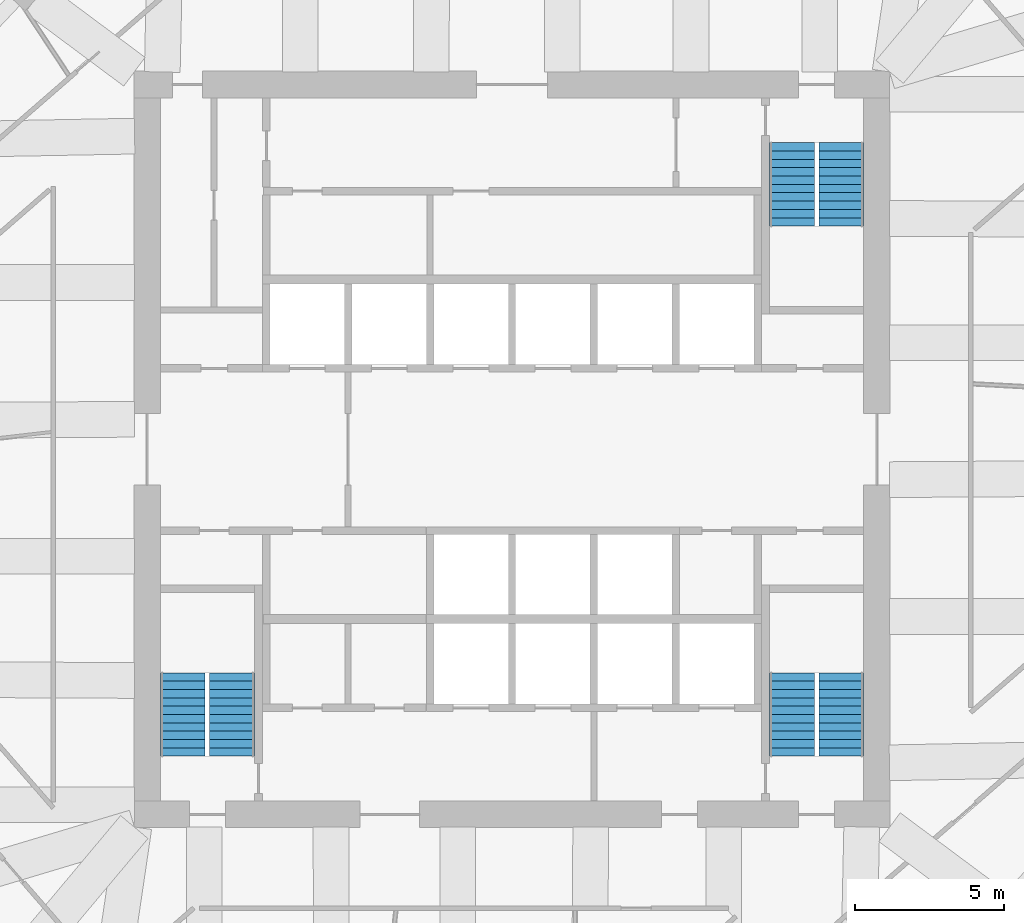
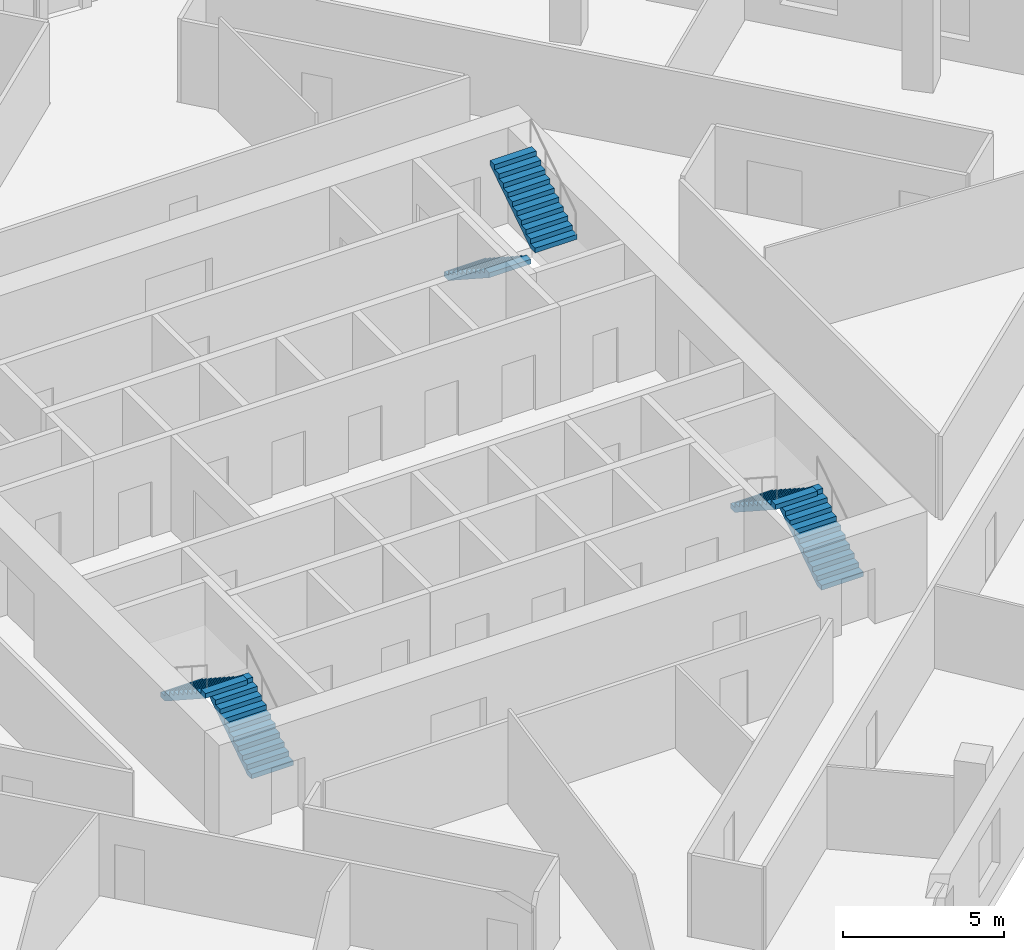
# One storey, part 9 of 11: 6 stair flights, 3 elements without a shape of their own.
"""IFC4 building model written with IfcOpenShell, lengths in metres."""

import ifcopenshell
import ifcopenshell.guid

model = None  # the IFC model being written
_history = None  # IfcOwnerHistory: only IFC2X3 demands one
_inside = {}  # id of a spatial element -> (the spatial element, [elements in it])
_under = {}  # id of a project, library or spatial element -> (it, [spatial elements below it])
_declared = {}  # id of a project -> (the project, [libraries it declares])
_typed = {}  # id of a type object -> (the type object, [elements of that type])
_made_of = {}  # id of a material, layer set ... -> (it, [elements and type objects made of it])


def new_model(schema):
    """Start an empty IFC model of exactly this schema.

    Asked for "IFC4X3", IfcOpenShell would pick the latest addendum, in which some entities
    have other attributes; the version numbers below select the first issue.
    IFC2X3 requires an IfcOwnerHistory on every rooted entity: one is made here for all.
    """
    global model, _history
    if schema == "IFC4X3":
        model = ifcopenshell.file(schema_version=(4, 3, 0, 0))
    else:
        model = ifcopenshell.file(schema=schema)
    _inside.clear()
    _under.clear()
    _declared.clear()
    _typed.clear()
    _made_of.clear()
    _history = None
    if model.schema == "IFC2X3":
        org = make("IfcOrganization", Name="unknown")
        user = make(
            "IfcPersonAndOrganization",
            ThePerson=make("IfcPerson", FamilyName="unknown"),
            TheOrganization=org,
        )
        app = make(
            "IfcApplication",
            ApplicationDeveloper=org,
            Version="unknown",
            ApplicationFullName="unknown",
            ApplicationIdentifier="unknown",
        )
        _history = make(
            "IfcOwnerHistory",
            OwningUser=user,
            OwningApplication=app,
            ChangeAction="ADDED",
            CreationDate=0,
        )
    return model


def make(cls, **values):
    """One entity of the class cls with the attributes given. An attribute that is None is left unset."""
    return model.create_entity(
        cls, **{name: value for name, value in values.items() if value is not None}
    )


def rooted(cls, **values):
    """An entity with a GlobalId (a new one), such as an element, a storey or a relation."""
    return make(cls, GlobalId=ifcopenshell.guid.new(), OwnerHistory=_history, **values)


def si_unit(unit_type, name, prefix=None):
    """IfcSIUnit, for example si_unit("LENGTHUNIT", "METRE", prefix="MILLI")."""
    return make("IfcSIUnit", UnitType=unit_type, Prefix=prefix, Name=name)


def assignment(units):
    """IfcUnitAssignment: the units of a project."""
    return None if units is None else make("IfcUnitAssignment", Units=units)


def point(xyz):
    """IfcCartesianPoint."""
    return None if xyz is None else make("IfcCartesianPoint", Coordinates=xyz)


def direction(xyz):
    """IfcDirection."""
    return None if xyz is None else make("IfcDirection", DirectionRatios=xyz)


def frame(location, z_axis=None, x_axis=None):
    """IfcAxis2Placement3D, a coordinate frame: its origin and axes. An axis left out is left unset."""
    return make(
        "IfcAxis2Placement3D",
        Location=point(location),
        Axis=direction(z_axis),
        RefDirection=direction(x_axis),
    )


def origin():
    """The frame at (0, 0, 0) with its axes left unset."""
    return frame((0.0, 0.0, 0.0))


def place(relative_to, where):
    """IfcLocalPlacement: puts the frame where relative to a parent placement (None: the world)."""
    return make(
        "IfcLocalPlacement", PlacementRelTo=relative_to, RelativePlacement=where
    )


def context(
    kind, dimensions, precision=None, world=None, true_north=None, identifier=None
):
    """IfcGeometricRepresentationContext, for example the 3D "Model" context."""
    return make(
        "IfcGeometricRepresentationContext",
        ContextIdentifier=identifier,
        ContextType=kind,
        CoordinateSpaceDimension=dimensions,
        Precision=precision,
        WorldCoordinateSystem=world,
        TrueNorth=true_north,
    )


def subcontext(parent, identifier, kind, view, scale=None):
    """IfcGeometricRepresentationSubContext, for example "Body" below "Model"."""
    return make(
        "IfcGeometricRepresentationSubContext",
        ContextIdentifier=identifier,
        ContextType=kind,
        ParentContext=parent,
        TargetScale=scale,
        TargetView=view,
    )


def project(units=None, contexts=None):
    """IfcProject with its units and contexts."""
    return rooted(
        "IfcProject",
        Name="project",
        RepresentationContexts=contexts,
        UnitsInContext=assignment(units),
    )


def spatial(cls, under=None, at=None, **own):
    """A site, building, storey or space (cls), placed at a placement, below another one or the project."""
    s = rooted(cls, ObjectPlacement=at, **own)
    if under is not None:
        _under.setdefault(under.id(), (under, []))[1].append(s)
    return s


def polyline(points):
    """IfcPolyline through the points."""
    return make("IfcPolyline", Points=[point(p) for p in points])


def outline(outer, holes=None, kind="AREA"):
    """IfcArbitraryClosedProfileDef: a profile drawn as a closed curve; with holes, ...WithVoids."""
    if holes is None:
        return make("IfcArbitraryClosedProfileDef", ProfileType=kind, OuterCurve=outer)
    return make(
        "IfcArbitraryProfileDefWithVoids",
        ProfileType=kind,
        OuterCurve=outer,
        InnerCurves=holes,
    )


def extrude(swept, where, along, depth):
    """IfcExtrudedAreaSolid: the profile swept, set in the frame where, extruded along a direction by depth."""
    return make(
        "IfcExtrudedAreaSolid",
        SweptArea=swept,
        Position=where,
        ExtrudedDirection=direction(along),
        Depth=depth,
    )


def shape(context_of_items, identifier, shape_type, items):
    """IfcShapeRepresentation: the items that make up one representation, for example the "Body"."""
    return make(
        "IfcShapeRepresentation",
        ContextOfItems=context_of_items,
        RepresentationIdentifier=identifier,
        RepresentationType=shape_type,
        Items=items,
    )


def material(Name=None, Category=None):
    """IfcMaterial."""
    return make("IfcMaterial", Name=Name, Category=Category)


def made_of(thing, what):
    """Note that an element or type object is made of a material, layer set ...; save() writes the relation."""
    if what is not None:
        _made_of.setdefault(what.id(), (what, []))[1].append(thing)
    return thing


def type_object(cls, material=None, **own):
    """A type object (cls), such as IfcWallType, which elements share."""
    return made_of(rooted(cls, **own), material)


def element(
    cls,
    number,
    at=None,
    inside=None,
    cuts=None,
    type_object=None,
    material=None,
    context=None,
    identifier="Body",
    shape_type=None,
    held_by="IfcProductDefinitionShape",
    body=None,
    shapes=None,
    **own,
):
    """One element of the class cls, such as IfcWall. Its Tag is "e" and its number.

    at: its placement. inside: the storey or other place that contains it. cuts: it is an
    opening in that element (IfcRelVoidsElement). A single representation is given by context,
    identifier, shape_type and body (its items); several are given by shapes. held_by: the class
    of the entity that holds the representations. save() writes the other relations.
    """
    e = rooted(cls, Tag="e%d" % number, ObjectPlacement=at, **own)
    if body is not None:
        shapes = [shape(context, identifier, shape_type, body)]
    if shapes is not None:
        e.Representation = make(held_by, Representations=shapes)
    if inside is not None:
        _inside.setdefault(inside.id(), (inside, []))[1].append(e)
    if cuts is not None:
        rooted(
            "IfcRelVoidsElement", RelatingBuildingElement=cuts, RelatedOpeningElement=e
        )
    if type_object is not None:
        _typed.setdefault(type_object.id(), (type_object, []))[1].append(e)
    return made_of(e, material)


def aggregate(whole, parts):
    """IfcRelAggregates: a whole, such as a stair, and the parts it consists of."""
    return rooted("IfcRelAggregates", RelatingObject=whole, RelatedObjects=parts)


def save(model, path):
    """Write the relations noted so far, then the file.

    IfcRelAggregates (storeys below a building ...), IfcRelContainedInSpatialStructure (elements
    in a storey), IfcRelDefinesByType, IfcRelAssociatesMaterial and IfcRelDeclares: one each for
    every whole, place, type object, material and project.
    """
    for whole, parts in _under.values():
        aggregate(whole, parts)
    for where, things in _inside.values():
        rooted(
            "IfcRelContainedInSpatialStructure",
            RelatedElements=things,
            RelatingStructure=where,
        )
    for kind, things in _typed.values():
        rooted("IfcRelDefinesByType", RelatedObjects=things, RelatingType=kind)
    for what, things in _made_of.values():
        rooted("IfcRelAssociatesMaterial", RelatedObjects=things, RelatingMaterial=what)
    for by, libraries in _declared.values():
        rooted("IfcRelDeclares", RelatingContext=by, RelatedDefinitions=libraries)
    model.write(path)


model = new_model("IFC4")

# Units and contexts
model_context = context("Model", 3, precision=1e-05, world=origin(), true_north=direction((0.0, 1.0)))
body_context = subcontext(model_context, "Body", "Model", "MODEL_VIEW")
ifc_project = project(units=[si_unit("LENGTHUNIT", "METRE"), si_unit("AREAUNIT", "SQUARE_METRE"), si_unit("VOLUMEUNIT", "CUBIC_METRE"), si_unit("PLANEANGLEUNIT", "RADIAN"), si_unit("MASSUNIT", "GRAM", prefix="KILO")], contexts=[model_context])

# Site, building, storey
site_placement = place(None, origin())
site = spatial("IfcSite", under=ifc_project, at=site_placement, CompositionType="ELEMENT")
building_placement = place(site_placement, origin())
building = spatial("IfcBuilding", under=site, at=building_placement, Name="Dilmun Exchange Tower", CompositionType="ELEMENT")
storey_placement = place(building_placement, frame((0.0, 0.0, 193.300048828125)))
storey = spatial("IfcBuildingStorey", under=building, at=storey_placement, Name="L45", CompositionType="ELEMENT", Elevation=193.300048828125)

# Stair, stair flights
ifc_material = material(Name="Concrete C40/50", Category="concrete")
stair_type = type_object("IfcStairType", Name="Exit stair 1500 half-turn", PredefinedType="HALF_TURN_STAIR", material=ifc_material)
stair_1_placement = place(storey_placement, origin())
stair_1 = element("IfcStair", 1, at=stair_1_placement, inside=storey, type_object=stair_type, Name="L45 Protected exit stair ST1", PredefinedType="HALF_TURN_STAIR")
stair_flight_type = type_object("IfcStairFlightType", Name="Exit stair flight 1500", PredefinedType="STRAIGHT", material=ifc_material)
stair_flight_1_placement = place(storey_placement, frame((9.39990234375, 10.300048828125, 0.0), z_axis=(0.0, 0.0, 1.0), x_axis=(0.0, -1.0, 0.0)))
stair_flight_1 = element("IfcStairFlight", 2, at=stair_flight_1_placement, type_object=stair_flight_type, Name="ST1 flight 1", NumberOfRisers=11, NumberOfTreads=10, PredefinedType="STRAIGHT", RiserHeight=0.181818182, TreadLength=0.28, context=body_context, shape_type="SweptSolid", body=[
    extrude(outline(polyline([(0.0, 0.0), (0.0, 0.181884765625), (0.280029296875, 0.181884765625), (0.280029296875, 0.363525390625), (0.56005859375, 0.363525390625), (0.56005859375, 0.54541015625), (0.840087890625, 0.54541015625), (0.840087890625, 0.727294921875), (1.1201171875, 0.727294921875), (1.1201171875, 0.9091796875), (1.39990234375, 0.9091796875), (1.39990234375, 1.0908203125), (1.679931640625, 1.0908203125), (1.679931640625, 1.272705078125), (1.9599609375, 1.272705078125), (1.9599609375, 1.45458984375), (2.239990234375, 1.45458984375), (2.239990234375, 1.636474609375), (2.52001953125, 1.636474609375), (2.52001953125, 1.818115234375), (2.800048828125, 1.818115234375), (2.800048828125, 2.0), (2.800048828125, 1.639404296875), (0.275146484375, 0.0), (0.0, 0.0)])), frame((0.0, 0.75, 0.0), z_axis=(0.0, -1.0, 0.0), x_axis=(1.0, 0.0, 0.0)), (0.0, 0.0, 1.0), 1.5),
])
stair_flight_2_placement = place(storey_placement, frame((11.050048828125, 7.5, 2.0), z_axis=(0.0, 0.0, 1.0), x_axis=(0.0, 1.0, 0.0)))
stair_flight_2 = element("IfcStairFlight", 3, at=stair_flight_2_placement, type_object=stair_flight_type, Name="ST1 flight 2", NumberOfRisers=11, NumberOfTreads=10, PredefinedType="STRAIGHT", RiserHeight=0.181818182, TreadLength=0.28, context=body_context, shape_type="SweptSolid", body=[
    extrude(outline(polyline([(0.0, 0.0), (0.0, 0.181884765625), (0.280029296875, 0.181884765625), (0.280029296875, 0.363525390625), (0.56005859375, 0.363525390625), (0.56005859375, 0.54541015625), (0.840087890625, 0.54541015625), (0.840087890625, 0.727294921875), (1.1201171875, 0.727294921875), (1.1201171875, 0.9091796875), (1.39990234375, 0.9091796875), (1.39990234375, 1.0908203125), (1.679931640625, 1.0908203125), (1.679931640625, 1.272705078125), (1.9599609375, 1.272705078125), (1.9599609375, 1.45458984375), (2.239990234375, 1.45458984375), (2.239990234375, 1.636474609375), (2.52001953125, 1.636474609375), (2.52001953125, 1.818115234375), (2.800048828125, 1.818115234375), (2.800048828125, 2.0), (2.800048828125, 1.639404296875), (0.275146484375, 0.0), (0.0, 0.0)])), frame((0.0, 0.75, 0.0), z_axis=(0.0, -1.0, 0.0), x_axis=(1.0, 0.0, 0.0)), (0.0, 0.0, 1.0), 1.5),
])
aggregate(stair_1, [stair_flight_1, stair_flight_2])

stair_2_placement = place(storey_placement, origin())
stair_2 = element("IfcStair", 4, at=stair_2_placement, inside=storey, type_object=stair_type, Name="L45 Protected exit stair ST2", PredefinedType="HALF_TURN_STAIR")
stair_flight_3_placement = place(storey_placement, frame((-9.39990234375, -10.300048828125, 0.0), z_axis=(0.0, 0.0, 1.0), x_axis=(0.0, 1.0, 0.0)))
stair_flight_3 = element("IfcStairFlight", 5, at=stair_flight_3_placement, type_object=stair_flight_type, Name="ST2 flight 1", NumberOfRisers=11, NumberOfTreads=10, PredefinedType="STRAIGHT", RiserHeight=0.181818182, TreadLength=0.28, context=body_context, shape_type="SweptSolid", body=[
    extrude(outline(polyline([(0.0, 0.0), (0.0, 0.181884765625), (0.280029296875, 0.181884765625), (0.280029296875, 0.363525390625), (0.56005859375, 0.363525390625), (0.56005859375, 0.54541015625), (0.840087890625, 0.54541015625), (0.840087890625, 0.727294921875), (1.1201171875, 0.727294921875), (1.1201171875, 0.9091796875), (1.39990234375, 0.9091796875), (1.39990234375, 1.0908203125), (1.679931640625, 1.0908203125), (1.679931640625, 1.272705078125), (1.9599609375, 1.272705078125), (1.9599609375, 1.45458984375), (2.239990234375, 1.45458984375), (2.239990234375, 1.636474609375), (2.52001953125, 1.636474609375), (2.52001953125, 1.818115234375), (2.800048828125, 1.818115234375), (2.800048828125, 2.0), (2.800048828125, 1.639404296875), (0.275146484375, 0.0), (0.0, 0.0)])), frame((0.0, 0.75, 0.0), z_axis=(0.0, -1.0, 0.0), x_axis=(1.0, 0.0, 0.0)), (0.0, 0.0, 1.0), 1.5),
])
stair_flight_4_placement = place(storey_placement, frame((-11.050048828125, -7.5, 2.0), z_axis=(0.0, 0.0, 1.0), x_axis=(0.0, -1.0, 0.0)))
stair_flight_4 = element("IfcStairFlight", 6, at=stair_flight_4_placement, type_object=stair_flight_type, Name="ST2 flight 2", NumberOfRisers=11, NumberOfTreads=10, PredefinedType="STRAIGHT", RiserHeight=0.181818182, TreadLength=0.28, context=body_context, shape_type="SweptSolid", body=[
    extrude(outline(polyline([(0.0, 0.0), (0.0, 0.181884765625), (0.280029296875, 0.181884765625), (0.280029296875, 0.363525390625), (0.56005859375, 0.363525390625), (0.56005859375, 0.54541015625), (0.840087890625, 0.54541015625), (0.840087890625, 0.727294921875), (1.1201171875, 0.727294921875), (1.1201171875, 0.9091796875), (1.39990234375, 0.9091796875), (1.39990234375, 1.0908203125), (1.679931640625, 1.0908203125), (1.679931640625, 1.272705078125), (1.9599609375, 1.272705078125), (1.9599609375, 1.45458984375), (2.239990234375, 1.45458984375), (2.239990234375, 1.636474609375), (2.52001953125, 1.636474609375), (2.52001953125, 1.818115234375), (2.800048828125, 1.818115234375), (2.800048828125, 2.0), (2.800048828125, 1.639404296875), (0.275146484375, 0.0), (0.0, 0.0)])), frame((0.0, 0.75, 0.0), z_axis=(0.0, -1.0, 0.0), x_axis=(1.0, 0.0, 0.0)), (0.0, 0.0, 1.0), 1.5),
])
aggregate(stair_2, [stair_flight_3, stair_flight_4])

stair_3_placement = place(storey_placement, origin())
stair_3 = element("IfcStair", 7, at=stair_3_placement, inside=storey, type_object=stair_type, Name="L45 Protected exit stair ST3", PredefinedType="HALF_TURN_STAIR")
stair_flight_5_placement = place(storey_placement, frame((11.050048828125, -10.300048828125, 0.0), z_axis=(0.0, 0.0, 1.0), x_axis=(0.0, 1.0, 0.0)))
stair_flight_5 = element("IfcStairFlight", 8, at=stair_flight_5_placement, type_object=stair_flight_type, Name="ST3 flight 1", NumberOfRisers=11, NumberOfTreads=10, PredefinedType="STRAIGHT", RiserHeight=0.181818182, TreadLength=0.28, context=body_context, shape_type="SweptSolid", body=[
    extrude(outline(polyline([(0.0, 0.0), (0.0, 0.181884765625), (0.280029296875, 0.181884765625), (0.280029296875, 0.363525390625), (0.56005859375, 0.363525390625), (0.56005859375, 0.54541015625), (0.840087890625, 0.54541015625), (0.840087890625, 0.727294921875), (1.1201171875, 0.727294921875), (1.1201171875, 0.9091796875), (1.39990234375, 0.9091796875), (1.39990234375, 1.0908203125), (1.679931640625, 1.0908203125), (1.679931640625, 1.272705078125), (1.9599609375, 1.272705078125), (1.9599609375, 1.45458984375), (2.239990234375, 1.45458984375), (2.239990234375, 1.636474609375), (2.52001953125, 1.636474609375), (2.52001953125, 1.818115234375), (2.800048828125, 1.818115234375), (2.800048828125, 2.0), (2.800048828125, 1.639404296875), (0.275146484375, 0.0), (0.0, 0.0)])), frame((0.0, 0.75, 0.0), z_axis=(0.0, -1.0, 0.0), x_axis=(1.0, 0.0, 0.0)), (0.0, 0.0, 1.0), 1.5),
])
stair_flight_6_placement = place(storey_placement, frame((9.39990234375, -7.5, 2.0), z_axis=(0.0, 0.0, 1.0), x_axis=(0.0, -1.0, 0.0)))
stair_flight_6 = element("IfcStairFlight", 9, at=stair_flight_6_placement, type_object=stair_flight_type, Name="ST3 flight 2", NumberOfRisers=11, NumberOfTreads=10, PredefinedType="STRAIGHT", RiserHeight=0.181818182, TreadLength=0.28, context=body_context, shape_type="SweptSolid", body=[
    extrude(outline(polyline([(0.0, 0.0), (0.0, 0.181884765625), (0.280029296875, 0.181884765625), (0.280029296875, 0.363525390625), (0.56005859375, 0.363525390625), (0.56005859375, 0.54541015625), (0.840087890625, 0.54541015625), (0.840087890625, 0.727294921875), (1.1201171875, 0.727294921875), (1.1201171875, 0.9091796875), (1.39990234375, 0.9091796875), (1.39990234375, 1.0908203125), (1.679931640625, 1.0908203125), (1.679931640625, 1.272705078125), (1.9599609375, 1.272705078125), (1.9599609375, 1.45458984375), (2.239990234375, 1.45458984375), (2.239990234375, 1.636474609375), (2.52001953125, 1.636474609375), (2.52001953125, 1.818115234375), (2.800048828125, 1.818115234375), (2.800048828125, 2.0), (2.800048828125, 1.639404296875), (0.275146484375, 0.0), (0.0, 0.0)])), frame((0.0, 0.75, 0.0), z_axis=(0.0, -1.0, 0.0), x_axis=(1.0, 0.0, 0.0)), (0.0, 0.0, 1.0), 1.5),
])
aggregate(stair_3, [stair_flight_5, stair_flight_6])

save(model, "model.ifc")
